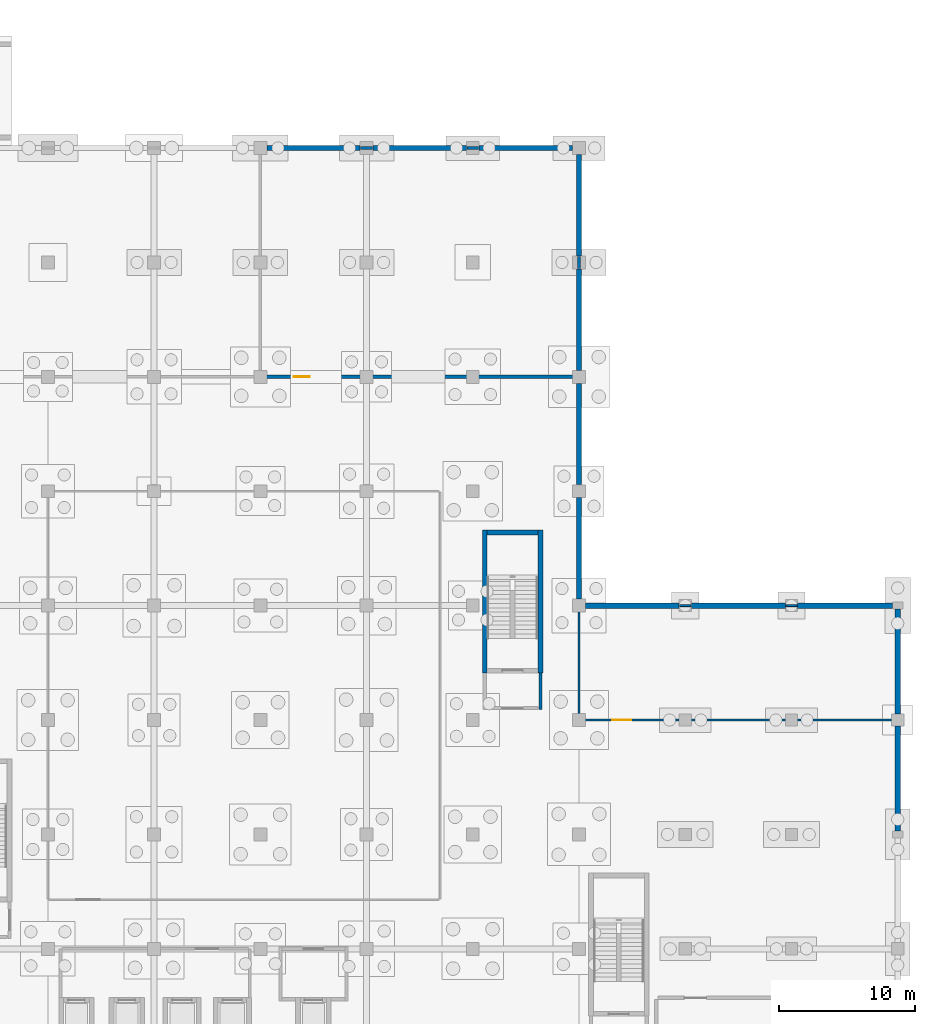
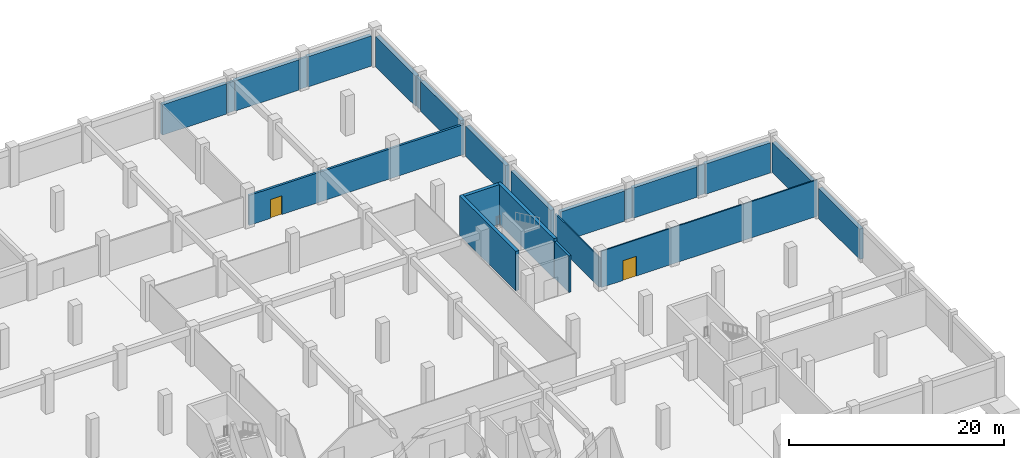
# One storey, part 22 of 30: 24 walls, 2 doors, 2 openings.
"""IFC4 building model written with IfcOpenShell, lengths in metres."""

from ifc_helpers import new_model, si_unit, direction, frame, frame_2d, origin, place, context, subcontext, project, spatial, rectangle, extrude, material, layer, layer_set, type_object, element, fill, save


model = new_model("IFC4")

# Units and contexts
model_context = context("Model", 3, precision=1e-05, world=origin(), true_north=direction((0.0, 1.0)))
body_context = subcontext(model_context, "Body", "Model", "MODEL_VIEW")
ifc_project = project(units=[si_unit("LENGTHUNIT", "METRE"), si_unit("AREAUNIT", "SQUARE_METRE"), si_unit("VOLUMEUNIT", "CUBIC_METRE"), si_unit("PLANEANGLEUNIT", "RADIAN"), si_unit("MASSUNIT", "GRAM", prefix="KILO"), si_unit("THERMODYNAMICTEMPERATUREUNIT", "KELVIN"), si_unit("POWERUNIT", "WATT")], contexts=[model_context])

# Site, building, storey
site_placement = place(None, origin())
site = spatial("IfcSite", under=ifc_project, at=site_placement, CompositionType="ELEMENT")
building_placement = place(site_placement, origin())
building = spatial("IfcBuilding", under=site, at=building_placement, Name="Srebrne Nadtorze General Hospital", CompositionType="ELEMENT")
storey_placement = place(building_placement, frame((0.0, 0.0, -4.5)))
storey = spatial("IfcBuildingStorey", under=building, at=storey_placement, Name="B1", CompositionType="ELEMENT", Elevation=-4.5)

# Walls
ifc_material_1 = material(Name="Concrete C35/45", Category="concrete")
ifc_layer_1 = layer(ifc_material_1, 0.39990234375)
ifc_layer_set_1 = layer_set([ifc_layer_1], Name="Concrete C35/45")
wall_type_1 = type_object("IfcWallType", Name="Basement retaining wall 400", PredefinedType="SOLIDWALL", material=ifc_layer_set_1)
wall_1_placement = place(storey_placement, frame((148.675048828125, 75.60009765625, 0.0), z_axis=(0.0, 0.0, 1.0), x_axis=(1.0, 0.0, 0.0)))
element("IfcWall", 1, at=wall_1_placement, inside=storey, type_object=wall_type_1, Name="Exterior wall WL-ENV-B1-0023", PredefinedType="SOLIDWALL", context=body_context, shape_type="SweptSolid", body=[
    extrude(rectangle(XDim=6.875, YDim=0.39990234375, at=frame_2d((3.4375, 0.0))), origin(), (0.0, 0.0, 1.0), 3.449951171875),
])
wall_2_placement = place(storey_placement, frame((156.449951171875, 75.60009765625, 0.0), z_axis=(0.0, 0.0, 1.0), x_axis=(1.0, 0.0, 0.0)))
element("IfcWall", 2, at=wall_2_placement, inside=storey, type_object=wall_type_1, Name="Exterior wall WL-ENV-B1-0024", PredefinedType="SOLIDWALL", context=body_context, shape_type="SweptSolid", body=[
    extrude(rectangle(XDim=6.900146484375, YDim=0.39990234375, at=frame_2d((3.4501953125, 0.0))), origin(), (0.0, 0.0, 1.0), 3.449951171875),
])
wall_3_placement = place(storey_placement, frame((164.25, 75.60009765625, 0.0), z_axis=(0.0, 0.0, 1.0), x_axis=(1.0, 0.0, 0.0)))
element("IfcWall", 3, at=wall_3_placement, inside=storey, type_object=wall_type_1, Name="Exterior wall WL-ENV-B1-0025", PredefinedType="SOLIDWALL", context=body_context, shape_type="SweptSolid", body=[
    extrude(rectangle(XDim=6.97509765625, YDim=0.39990234375, at=frame_2d((3.487548828125, 0.0))), origin(), (0.0, 0.0, 1.0), 3.449951171875),
])
for number, where, z_axis, x_axis, name in (
    (4, (125.27490234375, 109.199951171875, 0.0), (0.0, 0.0, 1.0), (1.0, 0.0, 0.0), "Exterior wall WL-ENV-B1-0036"),
    (5, (133.074951171875, 109.199951171875, 0.0), (0.0, 0.0, 1.0), (1.0, 0.0, 0.0), "Exterior wall WL-ENV-B1-0037"),
    (6, (140.875, 109.199951171875, 0.0), (0.0, 0.0, 1.0), (1.0, 0.0, 0.0), "Exterior wall WL-ENV-B1-0038"),
):
    element("IfcWall", number, at=place(storey_placement, frame(where, z_axis=z_axis, x_axis=x_axis)), inside=storey, type_object=wall_type_1, Name=name, PredefinedType="SOLIDWALL", context=body_context, shape_type="SweptSolid", body=[
        extrude(rectangle(XDim=6.85009765625, YDim=0.39990234375, at=frame_2d((3.425048828125, 0.0))), origin(), (0.0, 0.0, 1.0), 3.449951171875),
    ])
for number, where, z_axis, x_axis, name in (
    (7, (148.199951171875, 76.074951171875, 0.0), (0.0, 0.0, 1.0), (0.0, 1.0, 0.0), "Exterior wall WL-ENV-B1-0068"),
    (8, (148.199951171875, 84.47509765625, 0.0), (0.0, 0.0, 1.0), (0.0, 1.0, 0.0), "Exterior wall WL-ENV-B1-0069"),
    (9, (148.199951171875, 92.875, 0.0), (0.0, 0.0, 1.0), (0.0, 1.0, 0.0), "Exterior wall WL-ENV-B1-0070"),
):
    element("IfcWall", number, at=place(storey_placement, frame(where, z_axis=z_axis, x_axis=x_axis)), inside=storey, type_object=wall_type_1, Name=name, PredefinedType="SOLIDWALL", context=body_context, shape_type="SweptSolid", body=[
        extrude(rectangle(XDim=7.449951171875, YDim=0.39990234375, at=frame_2d((3.72509765625, 0.0))), origin(), (0.0, 0.0, 1.0), 3.449951171875),
    ])
wall_4_placement = place(storey_placement, frame((148.199951171875, 101.27490234375, 0.0), z_axis=(0.0, 0.0, 1.0), x_axis=(0.0, 1.0, 0.0)))
element("IfcWall", 10, at=wall_4_placement, inside=storey, type_object=wall_type_1, Name="Exterior wall WL-ENV-B1-0071", PredefinedType="SOLIDWALL", context=body_context, shape_type="SweptSolid", body=[
    extrude(rectangle(XDim=7.4501953125, YDim=0.39990234375, at=frame_2d((3.72509765625, 0.0))), origin(), (0.0, 0.0, 1.0), 3.449951171875),
])
wall_5_placement = place(storey_placement, frame((171.60009765625, 59.050048828125, 0.0), z_axis=(0.0, 0.0, 1.0), x_axis=(0.0, 1.0, 0.0)))
element("IfcWall", 11, at=wall_5_placement, inside=storey, type_object=wall_type_1, Name="Exterior wall WL-ENV-B1-0075", PredefinedType="SOLIDWALL", context=body_context, shape_type="SweptSolid", body=[
    extrude(rectangle(XDim=7.699951171875, YDim=0.39990234375, at=frame_2d((3.85009765625, 0.0))), origin(), (0.0, 0.0, 1.0), 3.449951171875),
])
wall_6_placement = place(storey_placement, frame((171.60009765625, 67.64990234375, 0.0), z_axis=(0.0, 0.0, 1.0), x_axis=(0.0, 1.0, 0.0)))
element("IfcWall", 12, at=wall_6_placement, inside=storey, type_object=wall_type_1, Name="Exterior wall WL-ENV-B1-0076", PredefinedType="SOLIDWALL", context=body_context, shape_type="SweptSolid", body=[
    extrude(rectangle(XDim=7.7001953125, YDim=0.39990234375, at=frame_2d((3.85009765625, 0.0))), origin(), (0.0, 0.0, 1.0), 3.449951171875),
])

# Wall, opening, door
ifc_material_2 = material(Name="Gypsum Healthcare Partition")
ifc_layer_2 = layer(ifc_material_2, 0.139892578125)
ifc_layer_set_2 = layer_set([ifc_layer_2], Name="Gypsum Healthcare Partition")
wall_type_2 = type_object("IfcWallType", Name="Clinical partition 140", PredefinedType="PARTITIONING", material=ifc_layer_set_2)
wall_7_placement = place(storey_placement, frame((148.284912109375, 67.199951171875, 0.0), z_axis=(0.0, 0.0, 1.0), x_axis=(1.0, 0.0, 0.0)))
wall_7 = element("IfcWall", 13, at=wall_7_placement, inside=storey, type_object=wall_type_2, Name="Clinical Waste Cold Storage wall WL-INT-B1-1257", PredefinedType="PARTITIONING", context=body_context, shape_type="SweptSolid", body=[
    extrude(rectangle(XDim=23.22998046875, YDim=0.139892578125, at=frame_2d((11.614990234375, 0.0))), origin(), (0.0, 0.0, 1.0), 4.1298828125),
])
opening_1_placement = place(wall_7_placement, frame((2.347900390625, 0.0, 0.0)))
opening_1 = element("IfcOpeningElement", 14, at=opening_1_placement, cuts=wall_7, Name="Opening D-B1-0178", PredefinedType="OPENING", context=body_context, shape_type="SweptSolid", body=[
    extrude(rectangle(XDim=1.39990234375, YDim=2.25, at=frame_2d((0.699951171875, 1.125))), frame((0.0, 0.08203125, 0.0), z_axis=(0.0, -1.0, 0.0), x_axis=(1.0, 0.0, 0.0)), (0.0, 0.0, 1.0), 0.163818359375),
])
ifc_material_3 = material(Name="Anodised Aluminium", Category="aluminium")
door_type_1 = type_object("IfcDoorType", Name="Single leaf door 1400x2250", OperationType="NOTDEFINED", PredefinedType="DOOR", material=ifc_material_3)
door_1_placement = place(opening_1_placement, origin())
door_1 = element("IfcDoor", 15, at=door_1_placement, inside=storey, type_object=door_type_1, Name="Clinical Waste Cold Storage door D-B1-0178", OperationType="SINGLE_SWING_LEFT", OverallHeight=2.25, OverallWidth=1.39990234375, PredefinedType="DOOR", context=body_context, shape_type="SweptSolid", body=[
    extrude(rectangle(XDim=1.39990234375, YDim=2.25, at=frame_2d((0.699951171875, 1.125))), frame((0.0, 0.02490234375, 0.0), z_axis=(0.0, -1.0, 0.0), x_axis=(1.0, 0.0, 0.0)), (0.0, 0.0, 1.0), 0.050048828125),
])
fill(opening_1, door_1)

# Walls
wall_8_placement = place(storey_placement, frame((155.590087890625, 75.60009765625, 0.0), z_axis=(0.0, 0.0, 1.0), x_axis=(1.0, 0.0, 0.0)))
element("IfcWall", 16, at=wall_8_placement, inside=storey, type_object=wall_type_2, Name="Clinical Waste Cold Storage wall WL-INT-B1-1258", PredefinedType="PARTITIONING", context=body_context, shape_type="SweptSolid", body=[
    extrude(rectangle(XDim=0.81982421875, YDim=0.139892578125, at=frame_2d((0.409912109375, 0.0))), origin(), (0.0, 0.0, 1.0), 3.39990234375),
])
wall_9_placement = place(storey_placement, frame((163.389892578125, 75.60009765625, 0.0), z_axis=(0.0, 0.0, 1.0), x_axis=(1.0, 0.0, 0.0)))
element("IfcWall", 17, at=wall_9_placement, inside=storey, type_object=wall_type_2, Name="Clinical Waste Cold Storage wall WL-INT-B1-1259", PredefinedType="PARTITIONING", context=body_context, shape_type="SweptSolid", body=[
    extrude(rectangle(XDim=0.820068359375, YDim=0.139892578125, at=frame_2d((0.41015625, 0.0))), origin(), (0.0, 0.0, 1.0), 3.39990234375),
])
wall_10_placement = place(storey_placement, frame((148.199951171875, 67.284912109375, 0.0), z_axis=(0.0, 0.0, 1.0), x_axis=(0.0, 1.0, 0.0)))
element("IfcWall", 18, at=wall_10_placement, inside=storey, type_object=wall_type_2, Name="Clinical Waste Cold Storage wall WL-INT-B1-1260", PredefinedType="PARTITIONING", context=body_context, shape_type="SweptSolid", body=[
    extrude(rectangle(XDim=8.22998046875, YDim=0.139892578125, at=frame_2d((4.114990234375, 0.0))), origin(), (0.0, 0.0, 1.0), 3.39990234375),
])
ifc_material_4 = material(Name="Gypsum Healthcare Partition")
ifc_layer_3 = layer(ifc_material_4, 0.239990234375)
ifc_layer_set_3 = layer_set([ifc_layer_3], Name="Gypsum Healthcare Partition")
wall_type_3 = type_object("IfcWallType", Name="Corridor fire wall 240", PredefinedType="STANDARD", material=ifc_layer_set_3)
wall_11_placement = place(storey_placement, frame((145.375, 67.955078125, 0.0), z_axis=(0.0, 0.0, 1.0), x_axis=(0.0, 1.0, 0.0)))
element("IfcWall", 19, at=wall_11_placement, inside=storey, type_object=wall_type_3, Name="Fire lobby wall ST-04 WL-INT-B1-0030", PredefinedType="STANDARD", context=body_context, shape_type="SweptSolid", body=[
    extrude(rectangle(XDim=2.69482421875, YDim=0.239990234375, at=frame_2d((1.347412109375, 0.0))), origin(), (0.0, 0.0, 1.0), 4.14990234375),
])

# Wall, opening, door
wall_12_placement = place(storey_placement, frame((124.909912109375, 92.39990234375, 0.0), z_axis=(0.0, 0.0, 1.0), x_axis=(1.0, 0.0, 0.0)))
wall_12 = element("IfcWall", 20, at=wall_12_placement, inside=storey, type_object=wall_type_3, Name="Fire Water Cistern and Pump Plant wall WL-INT-B1-1213", PredefinedType="STANDARD", context=body_context, shape_type="SweptSolid", body=[
    extrude(rectangle(XDim=23.18017578125, YDim=0.239990234375, at=frame_2d((11.590087890625, 0.0))), origin(), (0.0, 0.0, 1.0), 3.39990234375),
])
opening_2_placement = place(wall_12_placement, frame((2.32861328125, 0.0, 0.0)))
opening_2 = element("IfcOpeningElement", 21, at=opening_2_placement, cuts=wall_12, Name="Opening D-B1-0169", PredefinedType="OPENING", context=body_context, shape_type="SweptSolid", body=[
    extrude(rectangle(XDim=1.199951171875, YDim=2.14990234375, at=frame_2d((0.60009765625, 1.074951171875))), frame((0.0, 0.1318359375, 0.0), z_axis=(0.0, -1.0, 0.0), x_axis=(1.0, 0.0, 0.0)), (0.0, 0.0, 1.0), 0.263916015625),
])
ifc_material_5 = material(Name="Anodised Aluminium", Category="aluminium")
door_type_2 = type_object("IfcDoorType", Name="Single leaf door 1200x2150", OperationType="NOTDEFINED", PredefinedType="DOOR", material=ifc_material_5)
door_2_placement = place(opening_2_placement, origin())
door_2 = element("IfcDoor", 22, at=door_2_placement, inside=storey, type_object=door_type_2, Name="Fire Water Cistern and Pump Plant door D-B1-0169", OperationType="SINGLE_SWING_LEFT", OverallHeight=2.14990234375, OverallWidth=1.199951171875, PredefinedType="DOOR", context=body_context, shape_type="SweptSolid", body=[
    extrude(rectangle(XDim=1.199951171875, YDim=2.14990234375, at=frame_2d((0.60009765625, 1.074951171875))), frame((0.0, 0.02490234375, 0.0), z_axis=(0.0, -1.0, 0.0), x_axis=(1.0, 0.0, 0.0)), (0.0, 0.0, 1.0), 0.050048828125),
])
fill(opening_2, door_2)

# Walls
for number, where, z_axis, x_axis, name in (
    (23, (132.1650390625, 109.199951171875, 0.0), (0.0, 0.0, 1.0), (1.0, 0.0, 0.0), "Fire Water Cistern and Pump Plant wall WL-INT-B1-1214"),
    (24, (139.965087890625, 109.199951171875, 0.0), (0.0, 0.0, 1.0), (1.0, 0.0, 0.0), "Fire Water Cistern and Pump Plant wall WL-INT-B1-1215"),
):
    element("IfcWall", number, at=place(storey_placement, frame(where, z_axis=z_axis, x_axis=x_axis)), inside=storey, type_object=wall_type_3, Name=name, PredefinedType="STANDARD", context=body_context, shape_type="SweptSolid", body=[
        extrude(rectangle(XDim=0.869873046875, YDim=0.239990234375, at=frame_2d((0.43505859375, 0.0))), origin(), (0.0, 0.0, 1.0), 3.39990234375),
    ])
wall_13_placement = place(storey_placement, frame((148.199951171875, 100.364990234375, 0.0), z_axis=(0.0, 0.0, 1.0), x_axis=(0.0, 1.0, 0.0)))
element("IfcWall", 25, at=wall_13_placement, inside=storey, type_object=wall_type_3, Name="Fire Water Cistern and Pump Plant wall WL-INT-B1-1216", PredefinedType="STANDARD", context=body_context, shape_type="SweptSolid", body=[
    extrude(rectangle(XDim=0.8701171875, YDim=0.239990234375, at=frame_2d((0.43505859375, 0.0))), origin(), (0.0, 0.0, 1.0), 3.39990234375),
])
ifc_material_6 = material(Name="Concrete C40/50", Category="concrete")
ifc_layer_4 = layer(ifc_material_6, 0.35009765625)
ifc_layer_set_4 = layer_set([ifc_layer_4], Name="Concrete C40/50")
wall_type_4 = type_object("IfcWallType", Name="Shear core wall 350", PredefinedType="SHEAR", material=ifc_layer_set_4)
for number, where, z_axis, x_axis, name in (
    (26, (141.27490234375, 70.64990234375, 0.0), (0.0, 0.0, 1.0), (0.0, 1.0, 0.0), "Stair core wall ST-04 WL-INT-B1-0025"),
    (27, (145.375, 70.64990234375, 0.0), (0.0, 0.0, 1.0), (0.0, 1.0, 0.0), "Stair core wall ST-04 WL-INT-B1-0026"),
):
    element("IfcWall", number, at=place(storey_placement, frame(where, z_axis=z_axis, x_axis=x_axis)), inside=storey, type_object=wall_type_4, Name=name, PredefinedType="SHEAR", context=body_context, shape_type="SweptSolid", body=[
        extrude(rectangle(XDim=10.5, YDim=0.35009765625, at=frame_2d((5.25, 0.0))), origin(), (0.0, 0.0, 1.0), 4.5),
    ])
wall_14_placement = place(storey_placement, frame((141.449951171875, 80.97509765625, 0.0), z_axis=(0.0, 0.0, 1.0), x_axis=(1.0, 0.0, 0.0)))
element("IfcWall", 28, at=wall_14_placement, inside=storey, type_object=wall_type_4, Name="Stair core wall ST-04 WL-INT-B1-0027", PredefinedType="SHEAR", context=body_context, shape_type="SweptSolid", body=[
    extrude(rectangle(XDim=3.75, YDim=0.35009765625, at=frame_2d((1.875, 0.0))), origin(), (0.0, 0.0, 1.0), 4.5),
])

save(model, "model.ifc")
